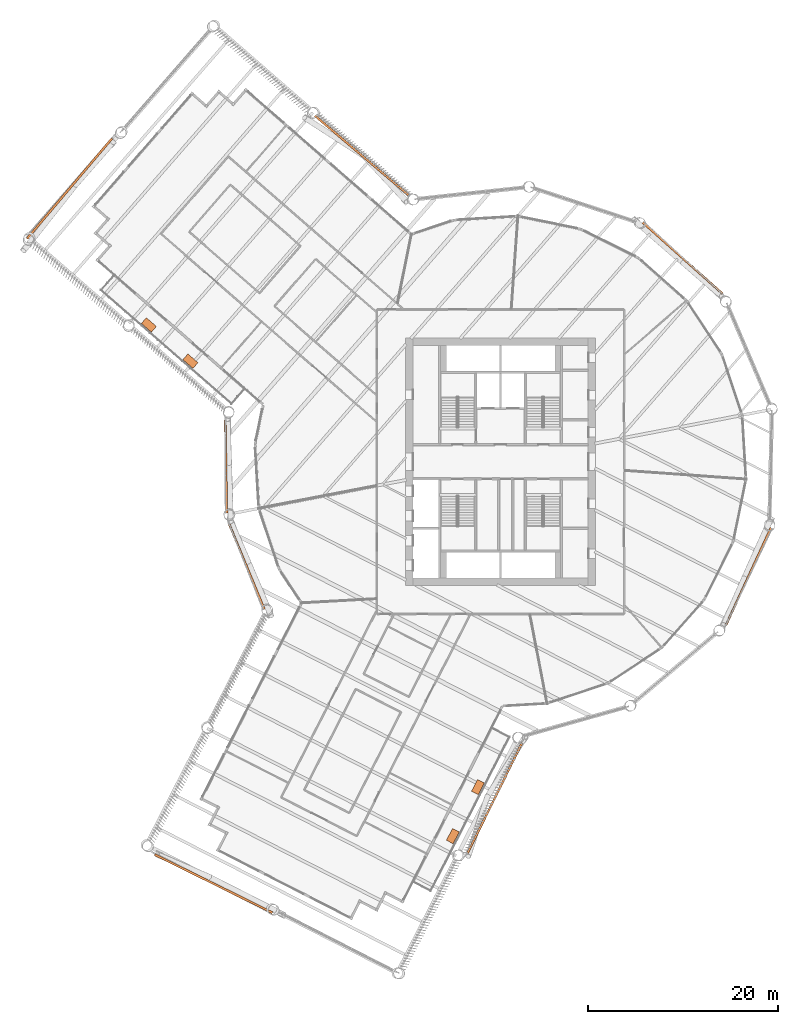
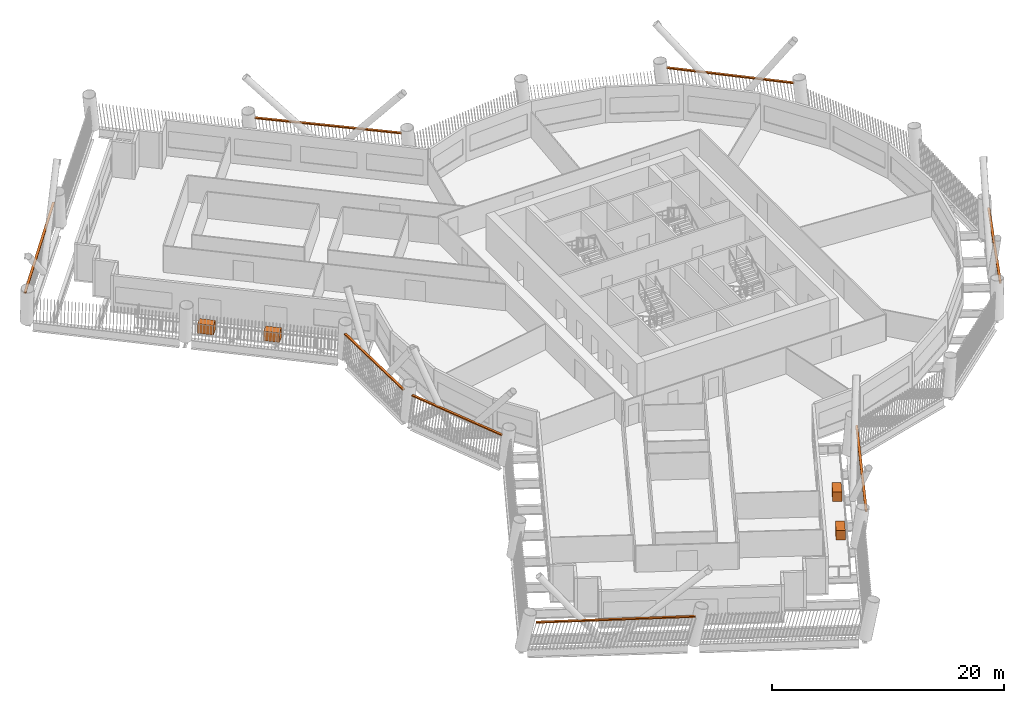
# One storey, part 21 of 21: 12 proxies.
"""IFC4 building model written with IfcOpenShell, lengths in metres."""

import ifcopenshell
import ifcopenshell.guid

model = None  # the IFC model being written
_history = None  # IfcOwnerHistory: only IFC2X3 demands one
_inside = {}  # id of a spatial element -> (the spatial element, [elements in it])
_under = {}  # id of a project, library or spatial element -> (it, [spatial elements below it])
_declared = {}  # id of a project -> (the project, [libraries it declares])
_typed = {}  # id of a type object -> (the type object, [elements of that type])
_made_of = {}  # id of a material, layer set ... -> (it, [elements and type objects made of it])


def new_model(schema):
    """Start an empty IFC model of exactly this schema.

    Asked for "IFC4X3", IfcOpenShell would pick the latest addendum, in which some entities
    have other attributes; the version numbers below select the first issue.
    IFC2X3 requires an IfcOwnerHistory on every rooted entity: one is made here for all.
    """
    global model, _history
    if schema == "IFC4X3":
        model = ifcopenshell.file(schema_version=(4, 3, 0, 0))
    else:
        model = ifcopenshell.file(schema=schema)
    _inside.clear()
    _under.clear()
    _declared.clear()
    _typed.clear()
    _made_of.clear()
    _history = None
    if model.schema == "IFC2X3":
        org = make("IfcOrganization", Name="unknown")
        user = make(
            "IfcPersonAndOrganization",
            ThePerson=make("IfcPerson", FamilyName="unknown"),
            TheOrganization=org,
        )
        app = make(
            "IfcApplication",
            ApplicationDeveloper=org,
            Version="unknown",
            ApplicationFullName="unknown",
            ApplicationIdentifier="unknown",
        )
        _history = make(
            "IfcOwnerHistory",
            OwningUser=user,
            OwningApplication=app,
            ChangeAction="ADDED",
            CreationDate=0,
        )
    return model


def make(cls, **values):
    """One entity of the class cls with the attributes given. An attribute that is None is left unset."""
    return model.create_entity(
        cls, **{name: value for name, value in values.items() if value is not None}
    )


def rooted(cls, **values):
    """An entity with a GlobalId (a new one), such as an element, a storey or a relation."""
    return make(cls, GlobalId=ifcopenshell.guid.new(), OwnerHistory=_history, **values)


def si_unit(unit_type, name, prefix=None):
    """IfcSIUnit, for example si_unit("LENGTHUNIT", "METRE", prefix="MILLI")."""
    return make("IfcSIUnit", UnitType=unit_type, Prefix=prefix, Name=name)


def assignment(units):
    """IfcUnitAssignment: the units of a project."""
    return None if units is None else make("IfcUnitAssignment", Units=units)


def point(xyz):
    """IfcCartesianPoint."""
    return None if xyz is None else make("IfcCartesianPoint", Coordinates=xyz)


def direction(xyz):
    """IfcDirection."""
    return None if xyz is None else make("IfcDirection", DirectionRatios=xyz)


def frame(location, z_axis=None, x_axis=None):
    """IfcAxis2Placement3D, a coordinate frame: its origin and axes. An axis left out is left unset."""
    return make(
        "IfcAxis2Placement3D",
        Location=point(location),
        Axis=direction(z_axis),
        RefDirection=direction(x_axis),
    )


def frame_2d(location, x_axis=None):
    """IfcAxis2Placement2D, a coordinate frame in the plane: its origin and x axis."""
    return make(
        "IfcAxis2Placement2D", Location=point(location), RefDirection=direction(x_axis)
    )


def origin():
    """The frame at (0, 0, 0) with its axes left unset."""
    return frame((0.0, 0.0, 0.0))


def origin_2d():
    """The frame at (0, 0) in the plane with its x axis left unset."""
    return frame_2d((0.0, 0.0))


def place(relative_to, where):
    """IfcLocalPlacement: puts the frame where relative to a parent placement (None: the world)."""
    return make(
        "IfcLocalPlacement", PlacementRelTo=relative_to, RelativePlacement=where
    )


def context(
    kind, dimensions, precision=None, world=None, true_north=None, identifier=None
):
    """IfcGeometricRepresentationContext, for example the 3D "Model" context."""
    return make(
        "IfcGeometricRepresentationContext",
        ContextIdentifier=identifier,
        ContextType=kind,
        CoordinateSpaceDimension=dimensions,
        Precision=precision,
        WorldCoordinateSystem=world,
        TrueNorth=true_north,
    )


def subcontext(parent, identifier, kind, view, scale=None):
    """IfcGeometricRepresentationSubContext, for example "Body" below "Model"."""
    return make(
        "IfcGeometricRepresentationSubContext",
        ContextIdentifier=identifier,
        ContextType=kind,
        ParentContext=parent,
        TargetScale=scale,
        TargetView=view,
    )


def project(units=None, contexts=None):
    """IfcProject with its units and contexts."""
    return rooted(
        "IfcProject",
        Name="project",
        RepresentationContexts=contexts,
        UnitsInContext=assignment(units),
    )


def spatial(cls, under=None, at=None, **own):
    """A site, building, storey or space (cls), placed at a placement, below another one or the project."""
    s = rooted(cls, ObjectPlacement=at, **own)
    if under is not None:
        _under.setdefault(under.id(), (under, []))[1].append(s)
    return s


def profile(cls, at=None, kind="AREA", **sizes):
    """A parametric profile (cls). Its sizes go by their IFC names, for example OverallWidth=200.0."""
    return make(cls, ProfileType=kind, Position=at, **sizes)


def rectangle(**sizes):
    """IfcRectangleProfileDef."""
    return profile("IfcRectangleProfileDef", **sizes)


def extrude(swept, where, along, depth):
    """IfcExtrudedAreaSolid: the profile swept, set in the frame where, extruded along a direction by depth."""
    return make(
        "IfcExtrudedAreaSolid",
        SweptArea=swept,
        Position=where,
        ExtrudedDirection=direction(along),
        Depth=depth,
    )


def shape(context_of_items, identifier, shape_type, items):
    """IfcShapeRepresentation: the items that make up one representation, for example the "Body"."""
    return make(
        "IfcShapeRepresentation",
        ContextOfItems=context_of_items,
        RepresentationIdentifier=identifier,
        RepresentationType=shape_type,
        Items=items,
    )


def material(Name=None, Category=None):
    """IfcMaterial."""
    return make("IfcMaterial", Name=Name, Category=Category)


def made_of(thing, what):
    """Note that an element or type object is made of a material, layer set ...; save() writes the relation."""
    if what is not None:
        _made_of.setdefault(what.id(), (what, []))[1].append(thing)
    return thing


def type_object(cls, material=None, **own):
    """A type object (cls), such as IfcWallType, which elements share."""
    return made_of(rooted(cls, **own), material)


def element(
    cls,
    number,
    at=None,
    inside=None,
    cuts=None,
    type_object=None,
    material=None,
    context=None,
    identifier="Body",
    shape_type=None,
    held_by="IfcProductDefinitionShape",
    body=None,
    shapes=None,
    **own,
):
    """One element of the class cls, such as IfcWall. Its Tag is "e" and its number.

    at: its placement. inside: the storey or other place that contains it. cuts: it is an
    opening in that element (IfcRelVoidsElement). A single representation is given by context,
    identifier, shape_type and body (its items); several are given by shapes. held_by: the class
    of the entity that holds the representations. save() writes the other relations.
    """
    e = rooted(cls, Tag="e%d" % number, ObjectPlacement=at, **own)
    if body is not None:
        shapes = [shape(context, identifier, shape_type, body)]
    if shapes is not None:
        e.Representation = make(held_by, Representations=shapes)
    if inside is not None:
        _inside.setdefault(inside.id(), (inside, []))[1].append(e)
    if cuts is not None:
        rooted(
            "IfcRelVoidsElement", RelatingBuildingElement=cuts, RelatedOpeningElement=e
        )
    if type_object is not None:
        _typed.setdefault(type_object.id(), (type_object, []))[1].append(e)
    return made_of(e, material)


def aggregate(whole, parts):
    """IfcRelAggregates: a whole, such as a stair, and the parts it consists of."""
    return rooted("IfcRelAggregates", RelatingObject=whole, RelatedObjects=parts)


def save(model, path):
    """Write the relations noted so far, then the file.

    IfcRelAggregates (storeys below a building ...), IfcRelContainedInSpatialStructure (elements
    in a storey), IfcRelDefinesByType, IfcRelAssociatesMaterial and IfcRelDeclares: one each for
    every whole, place, type object, material and project.
    """
    for whole, parts in _under.values():
        aggregate(whole, parts)
    for where, things in _inside.values():
        rooted(
            "IfcRelContainedInSpatialStructure",
            RelatedElements=things,
            RelatingStructure=where,
        )
    for kind, things in _typed.values():
        rooted("IfcRelDefinesByType", RelatedObjects=things, RelatingType=kind)
    for what, things in _made_of.values():
        rooted("IfcRelAssociatesMaterial", RelatedObjects=things, RelatingMaterial=what)
    for by, libraries in _declared.values():
        rooted("IfcRelDeclares", RelatingContext=by, RelatedDefinitions=libraries)
    model.write(path)


model = new_model("IFC4")

# Units and contexts
model_context = context("Model", 3, precision=1e-05, world=origin(), true_north=direction((0.0, 1.0)))
body_context = subcontext(model_context, "Body", "Model", "MODEL_VIEW")
ifc_project = project(units=[si_unit("LENGTHUNIT", "METRE"), si_unit("AREAUNIT", "SQUARE_METRE"), si_unit("VOLUMEUNIT", "CUBIC_METRE"), si_unit("PLANEANGLEUNIT", "RADIAN"), si_unit("MASSUNIT", "GRAM", prefix="KILO")], contexts=[model_context])

# Site, building, storey
site_placement = place(None, origin())
site = spatial("IfcSite", under=ifc_project, at=site_placement, CompositionType="ELEMENT")
building_placement = place(site_placement, origin())
building = spatial("IfcBuilding", under=site, at=building_placement, Name="Tarsis Ring Headquarters", CompositionType="ELEMENT")
storey_placement = place(building_placement, frame((0.0, 0.0, 100.60009765625)))
storey = spatial("IfcBuildingStorey", under=building, at=storey_placement, Name="L22", CompositionType="ELEMENT", Elevation=100.60009765625)

# Proxies
ifc_material_1 = material(Name="Structural steel S355", Category="steel")
building_element_proxy_type_1 = type_object("IfcBuildingElementProxyType", Name="Screen bracket plate", PredefinedType="USERDEFINED", material=ifc_material_1)
proxy_1_placement = place(storey_placement, frame((-26.693115234375, -10.993896484375, 2.952392578125), z_axis=(0.0, 0.0, 1.0), x_axis=(0.38082804336, -0.924645878913, 0.0)))
element("IfcBuildingElementProxy", 1, at=proxy_1_placement, inside=storey, type_object=building_element_proxy_type_1, Name="Screen bracket L22-00", ObjectType="Bracket", PredefinedType="USERDEFINED", context=body_context, shape_type="SweptSolid", body=[
    extrude(rectangle(XDim=9.771728515625, YDim=0.222900390625, at=origin_2d()), origin(), (0.0, 0.0, 1.0), 0.1201171875),
])
proxy_2_placement = place(storey_placement, frame((-30.171630859375, -44.345703125, 2.952392578125), z_axis=(0.0, 0.0, 1.0), x_axis=(0.896486414917, -0.443071222117, 0.0)))
element("IfcBuildingElementProxy", 2, at=proxy_2_placement, inside=storey, type_object=building_element_proxy_type_1, Name="Screen bracket L22-03", ObjectType="Bracket", PredefinedType="USERDEFINED", context=body_context, shape_type="SweptSolid", body=[
    extrude(rectangle(XDim=13.800048828125, YDim=0.222900390625, at=origin_2d()), origin(), (0.0, 0.0, 1.0), 0.1201171875),
])
proxy_3_placement = place(storey_placement, frame((-0.5966796875, -35.340576171875, 2.952392578125), z_axis=(0.0, 0.0, 1.0), x_axis=(0.443071175178, 0.896486438116, 0.0)))
element("IfcBuildingElementProxy", 3, at=proxy_3_placement, inside=storey, type_object=building_element_proxy_type_1, Name="Screen bracket L22-06", ObjectType="Bracket", PredefinedType="USERDEFINED", context=body_context, shape_type="SweptSolid", body=[
    extrude(rectangle(XDim=12.90234375, YDim=0.222900390625, at=origin_2d()), origin(), (0.0, 0.0, 1.0), 0.1201171875),
])
for number, where, z_axis, x_axis, name in (
    (4, (26.067626953125, -12.052490234375, 2.952392578125), (0.0, 0.0, 1.0), (0.419669778744, 0.907676857042, 0.0), "Screen bracket L22-09"),
    (5, (19.136962890625, 21.4140625, 2.952392578125), (0.0, 0.0, 1.0), (-0.745635794964, 0.666353705826, 0.0), "Screen bracket L22-12"),
):
    element("IfcBuildingElementProxy", number, at=place(storey_placement, frame(where, z_axis=z_axis, x_axis=x_axis)), inside=storey, type_object=building_element_proxy_type_1, Name=name, ObjectType="Bracket", PredefinedType="USERDEFINED", context=body_context, shape_type="SweptSolid", body=[
        extrude(rectangle(XDim=11.248779296875, YDim=0.222900390625, at=origin_2d()), origin(), (0.0, 0.0, 1.0), 0.1201171875),
    ])
proxy_4_placement = place(storey_placement, frame((-14.5830078125, 32.197021484375, 2.952392578125), z_axis=(0.0, 0.0, 1.0), x_axis=(-0.762668318407, 0.646789792822, 0.0)))
element("IfcBuildingElementProxy", 6, at=proxy_4_placement, inside=storey, type_object=building_element_proxy_type_1, Name="Screen bracket L22-15", ObjectType="Bracket", PredefinedType="USERDEFINED", context=body_context, shape_type="SweptSolid", body=[
    extrude(rectangle(XDim=12.90234375, YDim=0.222900390625, at=origin_2d()), origin(), (0.0, 0.0, 1.0), 0.1201171875),
])
proxy_5_placement = place(storey_placement, frame((-45.302001953125, 28.716064453125, 2.952392578125), z_axis=(0.0, 0.0, 1.0), x_axis=(-0.646789766199, -0.762668340984, 0.0)))
element("IfcBuildingElementProxy", 7, at=proxy_5_placement, inside=storey, type_object=building_element_proxy_type_1, Name="Screen bracket L22-18", ObjectType="Bracket", PredefinedType="USERDEFINED", context=body_context, shape_type="SweptSolid", body=[
    extrude(rectangle(XDim=13.800048828125, YDim=0.222900390625, at=origin_2d()), origin(), (0.0, 0.0, 1.0), 0.1201171875),
])
proxy_6_placement = place(storey_placement, frame((-28.86376953125, -0.511474609375, 2.952392578125), z_axis=(0.0, 0.0, 1.0), x_axis=(0.01771444456, -0.999843086916, 0.0)))
element("IfcBuildingElementProxy", 8, at=proxy_6_placement, inside=storey, type_object=building_element_proxy_type_1, Name="Screen bracket L22-21", ObjectType="Bracket", PredefinedType="USERDEFINED", context=body_context, shape_type="SweptSolid", body=[
    extrude(rectangle(XDim=9.771728515625, YDim=0.222900390625, at=origin_2d()), origin(), (0.0, 0.0, 1.0), 0.1201171875),
])
ifc_material_2 = material(Name="Planter soil mix and tree")
building_element_proxy_type_2 = type_object("IfcBuildingElementProxyType", Name="Tree planter", PredefinedType="USERDEFINED", material=ifc_material_2)
for number, where, z_axis, x_axis, name in (
    (9, (-36.962646484375, 14.378662109375, 0.0), (0.0, 0.0, 1.0), (0.75379277923, -0.657112201972, 0.0), "Tree planter L22-01.2"),
    (10, (-32.595947265625, 10.572021484375, 0.0), (0.0, 0.0, 1.0), (0.75379277923, -0.657112201972, 0.0), "Tree planter L22-01.3"),
    (11, (-5.012939453125, -39.35009765625, 0.0), (0.0, 0.0, 1.0), (0.455234136597, 0.890371765543, 0.0), "Tree planter L22-16.2"),
    (12, (-2.378173828125, -34.19677734375, 0.0), (0.0, 0.0, 1.0), (0.455234136597, 0.890371765543, 0.0), "Tree planter L22-16.3"),
):
    element("IfcBuildingElementProxy", number, at=place(storey_placement, frame(where, z_axis=z_axis, x_axis=x_axis)), inside=storey, type_object=building_element_proxy_type_2, Name=name, ObjectType="Planter", PredefinedType="USERDEFINED", context=body_context, shape_type="SweptSolid", body=[
        extrude(rectangle(XDim=1.39990234375, YDim=0.800048828125, at=origin_2d()), origin(), (0.0, 0.0, 1.0), 1.0),
    ])

save(model, "model.ifc")
